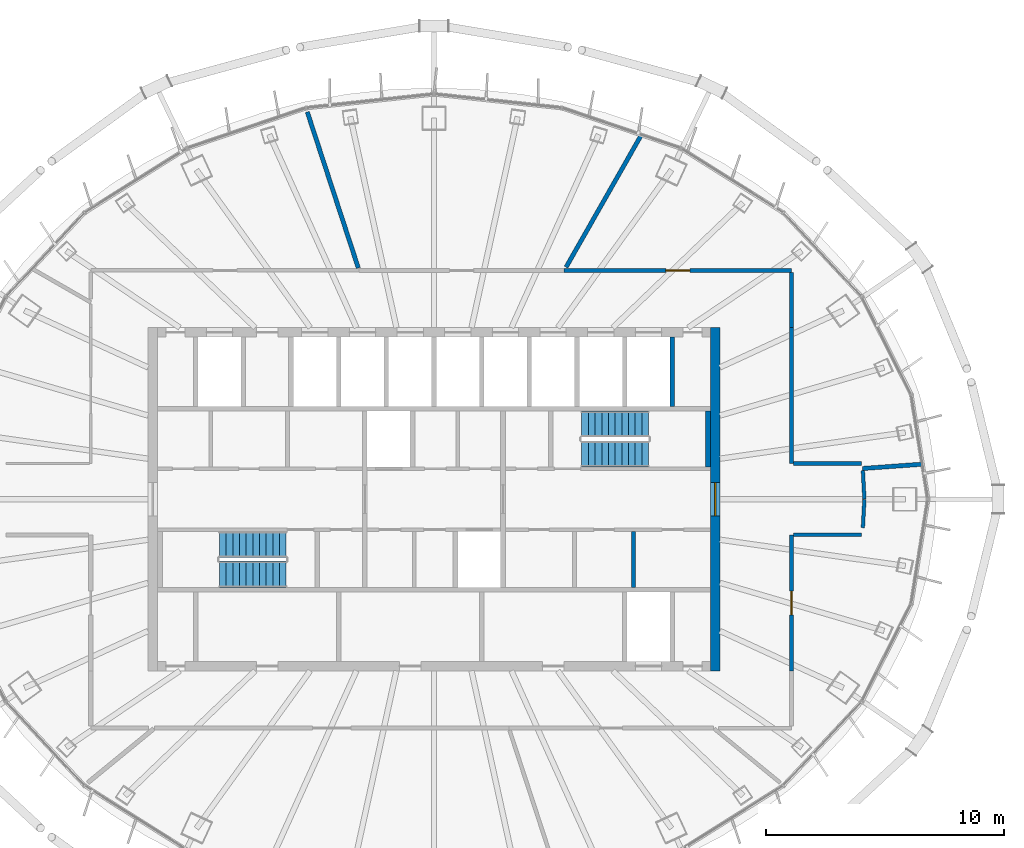
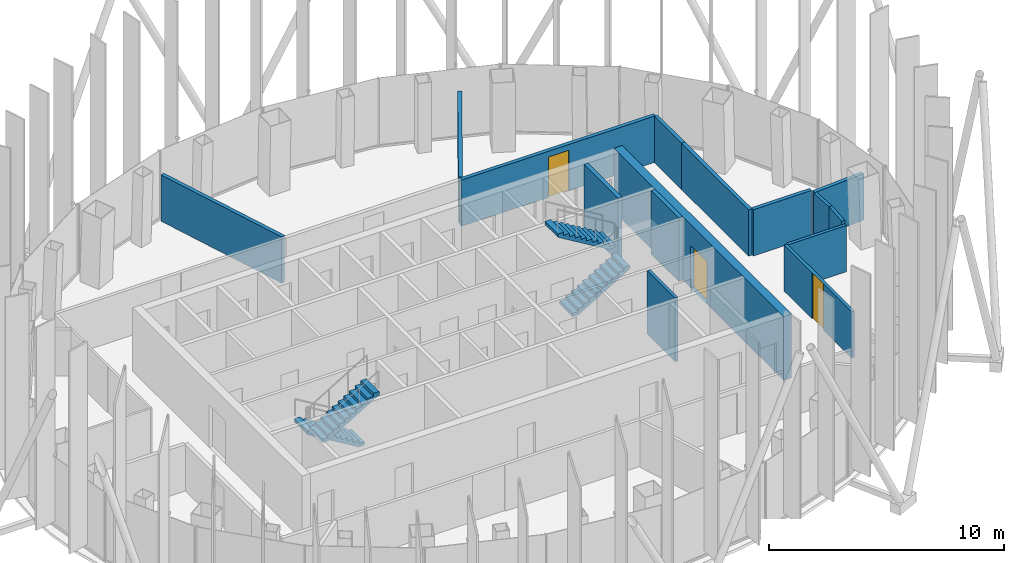
# One storey, part 11 of 19: 15 walls, 4 stair flights, 3 doors, 3 openings, 2 elements without a shape of their own.
"""IFC4 building model written with IfcOpenShell, lengths in metres."""

from ifc_helpers import new_model, si_unit, direction, frame, frame_2d, origin, place, context, subcontext, project, spatial, polyline, rectangle, outline, extrude, material, layer, layer_set, type_object, element, fill, aggregate, save


model = new_model("IFC4")

# Units and contexts
model_context = context("Model", 3, precision=1e-05, world=origin(), true_north=direction((0.0, 1.0)))
body_context = subcontext(model_context, "Body", "Model", "MODEL_VIEW")
ifc_project = project(units=[si_unit("LENGTHUNIT", "METRE"), si_unit("AREAUNIT", "SQUARE_METRE"), si_unit("VOLUMEUNIT", "CUBIC_METRE"), si_unit("PLANEANGLEUNIT", "RADIAN"), si_unit("MASSUNIT", "GRAM", prefix="KILO")], contexts=[model_context])

# Site, building, storey
site_placement = place(None, origin())
site = spatial("IfcSite", under=ifc_project, at=site_placement, CompositionType="ELEMENT")
building_placement = place(site_placement, origin())
building = spatial("IfcBuilding", under=site, at=building_placement, Name="Siaravel Broadcast Tower", CompositionType="ELEMENT")
storey_placement = place(building_placement, frame((0.0, 0.0, 250.39990234375)))
storey = spatial("IfcBuildingStorey", under=building, at=storey_placement, Name="L61", CompositionType="ELEMENT", Elevation=250.39990234375)

# Wall
ifc_material_1 = material(Name="Concrete blockwork", Category="masonry")
ifc_layer_1 = layer(ifc_material_1, 0.14990234375)
ifc_layer_set_1 = layer_set([ifc_layer_1], Name="Concrete blockwork")
wall_type_1 = type_object("IfcWallType", Name="Core partition 150", PredefinedType="PARTITIONING", material=ifc_layer_set_1)
wall_1_placement = place(storey_placement, frame((8.37109375, -3.699951171875, 0.0), z_axis=(0.0, 0.0, 1.0), x_axis=(0.0, 1.0, 0.0)))
element("IfcWall", 1, at=wall_1_placement, inside=storey, type_object=wall_type_1, Name="L61 core partition PSE1", PredefinedType="PARTITIONING", context=body_context, shape_type="SweptSolid", body=[
    extrude(rectangle(XDim=2.349853515625, YDim=0.14990234375, at=frame_2d((1.1748046875, 0.0))), origin(), (0.0, 0.0, 1.0), 3.300048828125),
])

# Wall, opening, door
ifc_material_2 = material(Name="Concrete C60/75", Category="concrete")
ifc_layer_2 = layer(ifc_material_2, 0.39990234375)
ifc_layer_set_2 = layer_set([ifc_layer_2], Name="Concrete C60/75")
wall_type_2 = type_object("IfcWallType", Name="Core wall 400", PredefinedType="SHEAR", material=ifc_layer_set_2)
wall_2_placement = place(storey_placement, frame((11.800048828125, -7.199951171875, 0.0), z_axis=(0.0, 0.0, 1.0), x_axis=(0.0, 1.0, 0.0)))
wall_2 = element("IfcWall", 2, at=wall_2_placement, inside=storey, type_object=wall_type_2, Name="L61 core wall OE", PredefinedType="SHEAR", context=body_context, shape_type="SweptSolid", body=[
    extrude(rectangle(XDim=14.39990234375, YDim=0.39990234375, at=frame_2d((7.199951171875, 0.0))), origin(), (0.0, 0.0, 1.0), 3.300048828125),
])
opening_1_placement = place(wall_2_placement, frame((6.5, 0.0, 0.0)))
opening_1 = element("IfcOpeningElement", 3, at=opening_1_placement, cuts=wall_2, Name="Opening L61-DX-E", PredefinedType="OPENING", context=body_context, shape_type="SweptSolid", body=[
    extrude(rectangle(XDim=1.39990234375, YDim=2.199951171875, at=frame_2d((0.699951171875, 1.10009765625))), frame((0.0, 0.2099609375, 0.0), z_axis=(0.0, -1.0, 0.0), x_axis=(1.0, 0.0, 0.0)), (0.0, 0.0, 1.0), 0.419921875),
])
ifc_material_3 = material(Name="Steel", Category="steel")
door_type_1 = type_object("IfcDoorType", Name="Core exit door 1400", OperationType="DOUBLE_DOOR_SINGLE_SWING", PredefinedType="DOOR", material=ifc_material_3)
door_1_placement = place(opening_1_placement, origin())
door_1 = element("IfcDoor", 4, at=door_1_placement, inside=storey, type_object=door_type_1, Name="L61 door DX-E", OperationType="DOUBLE_DOOR_SINGLE_SWING", OverallHeight=2.199951171875, OverallWidth=1.39990234375, PredefinedType="DOOR", context=body_context, shape_type="SweptSolid", body=[
    extrude(rectangle(XDim=1.39990234375, YDim=2.199951171875, at=frame_2d((0.699951171875, 1.10009765625))), frame((0.0, 0.02490234375, 0.0), z_axis=(0.0, -1.0, 0.0), x_axis=(1.0, 0.0, 0.0)), (0.0, 0.0, 1.0), 0.050048828125),
])
fill(opening_1, door_1)

ifc_material_4 = material(Name="Gypsum board partition", Category="gypsum")
ifc_layer_3 = layer(ifc_material_4, 0.14990234375)
ifc_layer_set_3 = layer_set([ifc_layer_3], Name="Gypsum board partition")
wall_type_3 = type_object("IfcWallType", Name="Corridor wall 150", PredefinedType="PARTITIONING", material=ifc_layer_set_3)
wall_3_placement = place(storey_placement, frame((15.001953125, -7.2119140625, 0.0), z_axis=(0.0, 0.0, 1.0), x_axis=(-0.000341939, 0.999999942, 0.0)))
wall_3 = element("IfcWall", 5, at=wall_3_placement, inside=storey, type_object=wall_type_3, Name="L61 partition 12", PredefinedType="PARTITIONING", context=body_context, shape_type="SweptSolid", body=[
    extrude(rectangle(XDim=5.7119140625, YDim=0.14990234375, at=frame_2d((2.85595703125, 0.0))), origin(), (0.0, 0.0, 1.0), 2.400146484375),
])
opening_2_placement = place(wall_3_placement, frame((2.35595703125, 0.0, 0.0)))
opening_2 = element("IfcOpeningElement", 6, at=opening_2_placement, cuts=wall_3, Name="Opening L61-004", PredefinedType="OPENING", context=body_context, shape_type="SweptSolid", body=[
    extrude(rectangle(XDim=1.0, YDim=2.39990234375, at=frame_2d((0.5, 1.199951171875))), frame((0.0, 0.0849609375, 0.0), z_axis=(0.0, -1.0, 0.0), x_axis=(1.0, 0.0, 0.0)), (0.0, 0.0, 1.0), 0.169921875),
])
ifc_material_5 = material(Name="Timber veneer", Category="wood")
door_type_2 = type_object("IfcDoorType", Name="Executive office door 1000", OperationType="SINGLE_SWING_LEFT", PredefinedType="DOOR", material=ifc_material_5)
door_2_placement = place(opening_2_placement, origin())
door_2 = element("IfcDoor", 7, at=door_2_placement, inside=storey, type_object=door_type_2, Name="L61 door to Executive office", OperationType="SINGLE_SWING_RIGHT", OverallHeight=2.39990234375, OverallWidth=1.0, PredefinedType="DOOR", context=body_context, shape_type="SweptSolid", body=[
    extrude(rectangle(XDim=1.0, YDim=2.39990234375, at=frame_2d((0.5, 1.199951171875))), frame((0.0, 0.02490234375, 0.0), z_axis=(0.0, -1.0, 0.0), x_axis=(1.0, 0.0, 0.0)), (0.0, 0.0, 1.0), 0.050048828125),
])
fill(opening_2, door_2)

# Walls
wall_4_placement = place(storey_placement, frame((15.076904296875, -1.5, 0.0), z_axis=(0.0, 0.0, 1.0), x_axis=(1.0, 0.0, 0.0)))
element("IfcWall", 8, at=wall_4_placement, inside=storey, type_object=wall_type_3, Name="L61 partition 18", PredefinedType="PARTITIONING", context=body_context, shape_type="SweptSolid", body=[
    extrude(rectangle(XDim=2.870849609375, YDim=0.14990234375, at=frame_2d((1.435546875, 0.0))), origin(), (0.0, 0.0, 1.0), 2.400146484375),
])
wall_5_placement = place(storey_placement, frame((18.06005859375, 0.0, 0.0), z_axis=(0.0, 0.0, 1.0), x_axis=(-0.053146642, 0.998586719, 0.0)))
element("IfcWall", 9, at=wall_5_placement, inside=storey, type_object=wall_type_3, Name="L61 partition 27", PredefinedType="PARTITIONING", context=body_context, shape_type="SweptSolid", body=[
    extrude(rectangle(XDim=1.198974609375, YDim=0.14990234375, at=frame_2d((0.599609375, 0.0))), origin(), (0.0, 0.0, 1.0), 2.400146484375),
])
wall_6_placement = place(storey_placement, frame((17.99609375, -1.1982421875, 0.0), z_axis=(0.0, 0.0, 1.0), x_axis=(0.053344935, 0.998576145, 0.0)))
element("IfcWall", 10, at=wall_6_placement, inside=storey, type_object=wall_type_3, Name="L61 partition 28", PredefinedType="PARTITIONING", context=body_context, shape_type="SweptSolid", body=[
    extrude(rectangle(XDim=1.18994140625, YDim=0.14990234375, at=frame_2d((0.594970703125, 0.0))), origin(), (0.0, 0.0, 1.0), 2.400146484375),
])

# Wall, opening, door
ifc_layer_4 = layer(ifc_material_1, 0.179931640625)
ifc_layer_set_4 = layer_set([ifc_layer_4], Name="Concrete blockwork")
wall_type_4 = type_object("IfcWallType", Name="Service room fire partition 180", PredefinedType="PARTITIONING", material=ifc_layer_set_4)
wall_7_placement = place(storey_placement, frame((15.0, 9.60009765625, 0.0), z_axis=(0.0, 0.0, 1.0), x_axis=(-1.0, 0.0, 0.0)))
wall_7 = element("IfcWall", 11, at=wall_7_placement, inside=storey, type_object=wall_type_4, Name="L61 partition 3", PredefinedType="PARTITIONING", context=body_context, shape_type="SweptSolid", body=[
    extrude(rectangle(XDim=9.534912109375, YDim=0.179931640625, at=frame_2d((4.767578125, 0.0))), origin(), (0.0, 0.0, 1.0), 2.400146484375),
])
opening_3_placement = place(wall_7_placement, frame((4.267333984375, 0.0, 0.0)))
opening_3 = element("IfcOpeningElement", 12, at=opening_3_placement, cuts=wall_7, Name="Opening L61-005", PredefinedType="OPENING", context=body_context, shape_type="SweptSolid", body=[
    extrude(rectangle(XDim=1.0, YDim=2.10009765625, at=frame_2d((0.5, 1.050048828125))), frame((0.0, 0.099853515625, 0.0), z_axis=(0.0, -1.0, 0.0), x_axis=(1.0, 0.0, 0.0)), (0.0, 0.0, 1.0), 0.199951171875),
])
door_type_3 = type_object("IfcDoorType", Name="Service room door 1000", OperationType="SINGLE_SWING_LEFT", PredefinedType="DOOR", material=ifc_material_3)
door_3_placement = place(opening_3_placement, origin())
door_3 = element("IfcDoor", 13, at=door_3_placement, inside=storey, type_object=door_type_3, Name="L61 door to Library", OperationType="SINGLE_SWING_LEFT", OverallHeight=2.10009765625, OverallWidth=1.0, PredefinedType="DOOR", context=body_context, shape_type="SweptSolid", body=[
    extrude(rectangle(XDim=1.0, YDim=2.10009765625, at=frame_2d((0.5, 1.050048828125))), frame((0.0, 0.02490234375, 0.0), z_axis=(0.0, -1.0, 0.0), x_axis=(1.0, 0.0, 0.0)), (0.0, 0.0, 1.0), 0.050048828125),
])
fill(opening_3, door_3)

# Walls
wall_8_placement = place(storey_placement, frame((-5.31591796875, 16.250732421875, 0.0), z_axis=(0.0, 0.0, 1.0), x_axis=(0.3108842, -0.950447797, 0.0)))
element("IfcWall", 14, at=wall_8_placement, inside=storey, type_object=wall_type_4, Name="L61 partition 6", PredefinedType="PARTITIONING", context=body_context, shape_type="SweptSolid", body=[
    extrude(rectangle(XDim=6.88720703125, YDim=0.179931640625, at=frame_2d((3.443603515625, 0.0))), origin(), (0.0, 0.0, 1.0), 2.400146484375),
])
wall_9_placement = place(storey_placement, frame((8.680908203125, 15.24853515625, 0.0), z_axis=(0.0, 0.0, 1.0), x_axis=(-0.494753842, -0.869033161, 0.0)))
element("IfcWall", 15, at=wall_9_placement, inside=storey, type_object=wall_type_4, Name="L61 partition 8", PredefinedType="PARTITIONING", context=body_context, shape_type="SweptSolid", body=[
    extrude(rectangle(XDim=6.343017578125, YDim=0.179931640625, at=frame_2d((3.17138671875, 0.0))), origin(), (0.0, 0.0, 1.0), 2.400146484375),
])
wall_10_placement = place(storey_placement, frame((15.0, 1.5, 0.0), z_axis=(0.0, 0.0, 1.0), x_axis=(0.0, 1.0, 0.0)))
element("IfcWall", 16, at=wall_10_placement, inside=storey, type_object=wall_type_4, Name="L61 partition 11", PredefinedType="PARTITIONING", context=body_context, shape_type="SweptSolid", body=[
    extrude(rectangle(XDim=5.7119140625, YDim=0.179931640625, at=frame_2d((2.85595703125, 0.0))), origin(), (0.0, 0.0, 1.0), 2.400146484375),
])
wall_11_placement = place(storey_placement, frame((17.94775390625, 1.5, 0.0), z_axis=(0.0, 0.0, 1.0), x_axis=(-1.0, 0.0, 0.0)))
element("IfcWall", 17, at=wall_11_placement, inside=storey, type_object=wall_type_4, Name="L61 partition 19", PredefinedType="PARTITIONING", context=body_context, shape_type="SweptSolid", body=[
    extrude(rectangle(XDim=2.855712890625, YDim=0.179931640625, at=frame_2d((1.427734375, 0.0))), origin(), (0.0, 0.0, 1.0), 2.400146484375),
])
wall_12_placement = place(storey_placement, frame((20.48486328125, 1.468017578125, 0.0), z_axis=(0.0, 0.0, 1.0), x_axis=(-0.997440396, -0.071502847, 0.0)))
element("IfcWall", 18, at=wall_12_placement, inside=storey, type_object=wall_type_4, Name="L61 partition 22", PredefinedType="PARTITIONING", context=body_context, shape_type="SweptSolid", body=[
    extrude(rectangle(XDim=2.509521484375, YDim=0.179931640625, at=frame_2d((1.2548828125, 0.0))), origin(), (0.0, 0.0, 1.0), 2.400146484375),
])
wall_13_placement = place(storey_placement, frame((15.0, 7.212890625, 0.0), z_axis=(0.0, 0.0, 1.0), x_axis=(0.0, 1.0, 0.0)))
element("IfcWall", 19, at=wall_13_placement, inside=storey, type_object=wall_type_4, Name="L61 partition 25", PredefinedType="PARTITIONING", context=body_context, shape_type="SweptSolid", body=[
    extrude(rectangle(XDim=2.295166015625, YDim=0.179931640625, at=frame_2d((1.1474609375, 0.0))), origin(), (0.0, 0.0, 1.0), 2.400146484375),
])
ifc_layer_5 = layer(ifc_material_2, 0.199951171875)
ifc_layer_set_5 = layer_set([ifc_layer_5], Name="Concrete C60/75")
wall_type_5 = type_object("IfcWallType", Name="Shaft wall 200", PredefinedType="SHEAR", material=ifc_layer_set_5)
wall_14_placement = place(storey_placement, frame((10.0, 3.89990234375, 0.0), z_axis=(0.0, 0.0, 1.0), x_axis=(0.0, 1.0, 0.0)))
element("IfcWall", 20, at=wall_14_placement, inside=storey, type_object=wall_type_5, Name="L61 core wall SWN10", PredefinedType="SHEAR", context=body_context, shape_type="SweptSolid", body=[
    extrude(rectangle(XDim=2.900146484375, YDim=0.199951171875, at=frame_2d((1.4501953125, 0.0))), origin(), (0.0, 0.0, 1.0), 3.300048828125),
])
wall_15_placement = place(storey_placement, frame((11.5, 1.35009765625, 0.0), z_axis=(0.0, 0.0, 1.0), x_axis=(0.0, 1.0, 0.0)))
element("IfcWall", 21, at=wall_15_placement, inside=storey, type_object=wall_type_5, Name="L61 core wall ST2E", PredefinedType="SHEAR", context=body_context, shape_type="SweptSolid", body=[
    extrude(rectangle(XDim=2.349853515625, YDim=0.199951171875, at=frame_2d((1.1748046875, 0.0))), origin(), (0.0, 0.0, 1.0), 3.300048828125),
])

# Stair, stair flights
ifc_material_6 = material(Name="Concrete C40/50", Category="concrete")
stair_type = type_object("IfcStairType", Name="Core exit stair", PredefinedType="HALF_TURN_STAIR", material=ifc_material_6)
stair_1_placement = place(storey_placement, origin())
stair_1 = element("IfcStair", 22, at=stair_1_placement, inside=storey, type_object=stair_type, Name="L61 Exit stair ST-1", PredefinedType="HALF_TURN_STAIR")
stair_flight_type = type_object("IfcStairFlightType", Name="Stair flight 1100", PredefinedType="STRAIGHT", material=ifc_material_6)
stair_flight_1_placement = place(storey_placement, frame((-6.199951171875, -1.89990234375, 0.0), z_axis=(0.0, 0.0, 1.0), x_axis=(-1.0, 0.0, 0.0)))
stair_flight_1 = element("IfcStairFlight", 23, at=stair_flight_1_placement, type_object=stair_flight_type, Name="ST-1 flight 1", NumberOfRisers=11, NumberOfTreads=10, PredefinedType="STRAIGHT", RiserHeight=0.1681818, TreadLength=0.28, context=body_context, shape_type="SweptSolid", body=[
    extrude(outline(polyline([(0.0, 0.0), (0.0, 0.168212890625), (0.280029296875, 0.168212890625), (0.280029296875, 0.33642578125), (0.56005859375, 0.33642578125), (0.56005859375, 0.504638671875), (0.840087890625, 0.504638671875), (0.840087890625, 0.672607421875), (1.1201171875, 0.672607421875), (1.1201171875, 0.8408203125), (1.39990234375, 0.8408203125), (1.39990234375, 1.009033203125), (1.679931640625, 1.009033203125), (1.679931640625, 1.17724609375), (1.9599609375, 1.17724609375), (1.9599609375, 1.345458984375), (2.239990234375, 1.345458984375), (2.239990234375, 1.513671875), (2.52001953125, 1.513671875), (2.52001953125, 1.681884765625), (2.800048828125, 1.681884765625), (2.800048828125, 1.85009765625), (2.800048828125, 1.5068359375), (0.291015625, 0.0), (0.0, 0.0)])), frame((0.0, 0.550048828125, 0.0), z_axis=(0.0, -1.0, 0.0), x_axis=(1.0, 0.0, 0.0)), (0.0, 0.0, 1.0), 1.10009765625),
])
stair_flight_2_placement = place(storey_placement, frame((-9.0, -3.14990234375, 1.85009765625), z_axis=(0.0, 0.0, 1.0), x_axis=(1.0, 0.0, 0.0)))
stair_flight_2 = element("IfcStairFlight", 24, at=stair_flight_2_placement, type_object=stair_flight_type, Name="ST-1 flight 2", NumberOfRisers=11, NumberOfTreads=10, PredefinedType="STRAIGHT", RiserHeight=0.1681818, TreadLength=0.28, context=body_context, shape_type="SweptSolid", body=[
    extrude(outline(polyline([(0.0, 0.0), (0.0, 0.168212890625), (0.280029296875, 0.168212890625), (0.280029296875, 0.33642578125), (0.56005859375, 0.33642578125), (0.56005859375, 0.504638671875), (0.840087890625, 0.504638671875), (0.840087890625, 0.672607421875), (1.1201171875, 0.672607421875), (1.1201171875, 0.8408203125), (1.39990234375, 0.8408203125), (1.39990234375, 1.009033203125), (1.679931640625, 1.009033203125), (1.679931640625, 1.17724609375), (1.9599609375, 1.17724609375), (1.9599609375, 1.345458984375), (2.239990234375, 1.345458984375), (2.239990234375, 1.513671875), (2.52001953125, 1.513671875), (2.52001953125, 1.681884765625), (2.800048828125, 1.681884765625), (2.800048828125, 1.85009765625), (2.800048828125, 1.5068359375), (0.291015625, 0.0), (0.0, 0.0)])), frame((0.0, 0.550048828125, 0.0), z_axis=(0.0, -1.0, 0.0), x_axis=(1.0, 0.0, 0.0)), (0.0, 0.0, 1.0), 1.10009765625),
])
aggregate(stair_1, [stair_flight_1, stair_flight_2])

stair_2_placement = place(storey_placement, origin())
stair_2 = element("IfcStair", 25, at=stair_2_placement, inside=storey, type_object=stair_type, Name="L61 Exit stair ST-2", PredefinedType="HALF_TURN_STAIR")
stair_flight_3_placement = place(storey_placement, frame((6.199951171875, 1.89990234375, 0.0), z_axis=(0.0, 0.0, 1.0), x_axis=(1.0, 0.0, 0.0)))
stair_flight_3 = element("IfcStairFlight", 26, at=stair_flight_3_placement, type_object=stair_flight_type, Name="ST-2 flight 1", NumberOfRisers=11, NumberOfTreads=10, PredefinedType="STRAIGHT", RiserHeight=0.1681818, TreadLength=0.28, context=body_context, shape_type="SweptSolid", body=[
    extrude(outline(polyline([(0.0, 0.0), (0.0, 0.168212890625), (0.280029296875, 0.168212890625), (0.280029296875, 0.33642578125), (0.56005859375, 0.33642578125), (0.56005859375, 0.504638671875), (0.840087890625, 0.504638671875), (0.840087890625, 0.672607421875), (1.1201171875, 0.672607421875), (1.1201171875, 0.8408203125), (1.39990234375, 0.8408203125), (1.39990234375, 1.009033203125), (1.679931640625, 1.009033203125), (1.679931640625, 1.17724609375), (1.9599609375, 1.17724609375), (1.9599609375, 1.345458984375), (2.239990234375, 1.345458984375), (2.239990234375, 1.513671875), (2.52001953125, 1.513671875), (2.52001953125, 1.681884765625), (2.800048828125, 1.681884765625), (2.800048828125, 1.85009765625), (2.800048828125, 1.5068359375), (0.291015625, 0.0), (0.0, 0.0)])), frame((0.0, 0.550048828125, 0.0), z_axis=(0.0, -1.0, 0.0), x_axis=(1.0, 0.0, 0.0)), (0.0, 0.0, 1.0), 1.10009765625),
])
stair_flight_4_placement = place(storey_placement, frame((9.0, 3.14990234375, 1.85009765625), z_axis=(0.0, 0.0, 1.0), x_axis=(-1.0, 0.0, 0.0)))
stair_flight_4 = element("IfcStairFlight", 27, at=stair_flight_4_placement, type_object=stair_flight_type, Name="ST-2 flight 2", NumberOfRisers=11, NumberOfTreads=10, PredefinedType="STRAIGHT", RiserHeight=0.1681818, TreadLength=0.28, context=body_context, shape_type="SweptSolid", body=[
    extrude(outline(polyline([(0.0, 0.0), (0.0, 0.168212890625), (0.280029296875, 0.168212890625), (0.280029296875, 0.33642578125), (0.56005859375, 0.33642578125), (0.56005859375, 0.504638671875), (0.840087890625, 0.504638671875), (0.840087890625, 0.672607421875), (1.1201171875, 0.672607421875), (1.1201171875, 0.8408203125), (1.39990234375, 0.8408203125), (1.39990234375, 1.009033203125), (1.679931640625, 1.009033203125), (1.679931640625, 1.17724609375), (1.9599609375, 1.17724609375), (1.9599609375, 1.345458984375), (2.239990234375, 1.345458984375), (2.239990234375, 1.513671875), (2.52001953125, 1.513671875), (2.52001953125, 1.681884765625), (2.800048828125, 1.681884765625), (2.800048828125, 1.85009765625), (2.800048828125, 1.5068359375), (0.291015625, 0.0), (0.0, 0.0)])), frame((0.0, 0.550048828125, 0.0), z_axis=(0.0, -1.0, 0.0), x_axis=(1.0, 0.0, 0.0)), (0.0, 0.0, 1.0), 1.10009765625),
])
aggregate(stair_2, [stair_flight_3, stair_flight_4])

save(model, "model.ifc")
